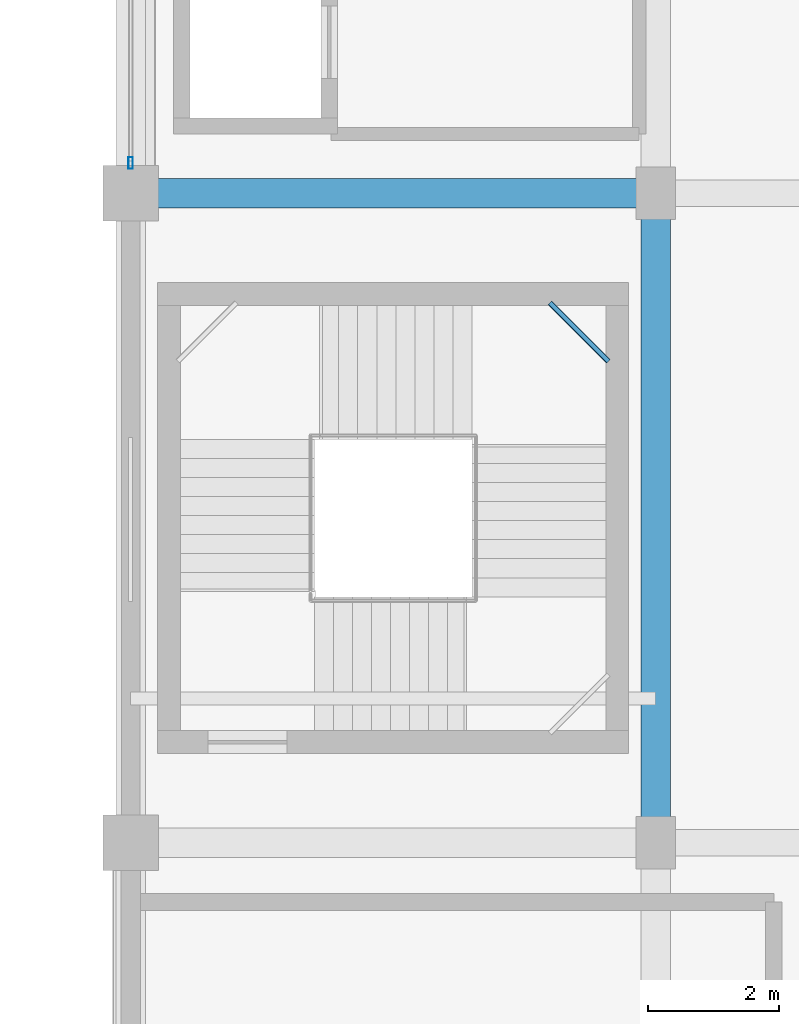
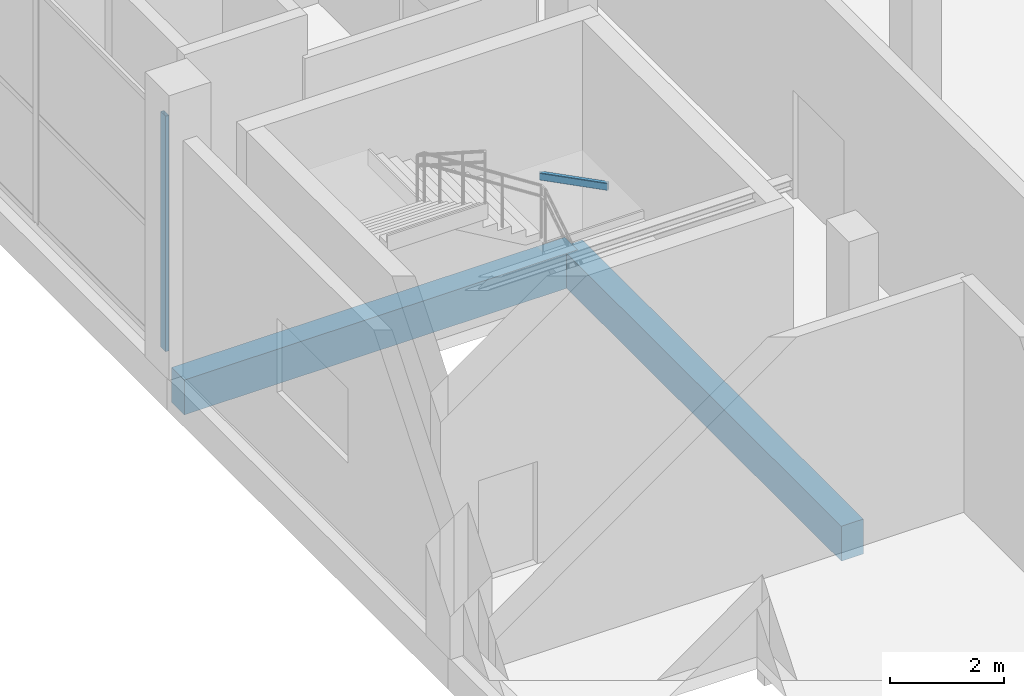
# One storey, part 5 of 58: 3 beams, 1 member, 1 element without a shape of its own.
"""IFC4 building model written with IfcOpenShell, lengths in metres."""

from ifc_helpers import new_model, si_unit, direction, frame, origin, origin_2d, place, context, subcontext, project, spatial, rectangle, hollow_rectangle, extrude, material, layer, layer_set, material_profile, profile_set, type_object, element, aggregate, save


model = new_model("IFC4")

# Units and contexts
model_context = context("Model", 3, precision=1e-05, world=origin(), true_north=direction((0.0, 1.0)))
body_context = subcontext(model_context, "Body", "Model", "MODEL_VIEW")
ifc_project = project(units=[si_unit("LENGTHUNIT", "METRE"), si_unit("AREAUNIT", "SQUARE_METRE"), si_unit("VOLUMEUNIT", "CUBIC_METRE"), si_unit("PLANEANGLEUNIT", "RADIAN"), si_unit("MASSUNIT", "GRAM", prefix="KILO")], contexts=[model_context])

# Site, building, storey
site_placement = place(None, origin())
site = spatial("IfcSite", under=ifc_project, at=site_placement, CompositionType="ELEMENT")
building_placement = place(site_placement, origin())
building = spatial("IfcBuilding", under=site, at=building_placement, Name="Sillaruma Civic Art Gallery", CompositionType="ELEMENT")
storey_placement = place(building_placement, frame((0.0, 0.0, 22.43994140625)))
storey = spatial("IfcBuildingStorey", under=building, at=storey_placement, Name="L04", CompositionType="ELEMENT", Elevation=22.43994140625)

# Beams
ifc_material_1 = material(Name="Concrete H40 (40 MPa)", Category="concrete")
ifc_material_profile_1 = material_profile(ifc_material_1, rectangle(XDim=0.449951171875, YDim=0.75, at=origin_2d()), Name="RCB450x750")
ifc_profile_set_1 = profile_set([ifc_material_profile_1], Name="Concrete H40 (40 MPa)")
beam_type_1 = type_object("IfcBeamType", Name="BM-BEAM-RCB450x750", PredefinedType="BEAM", material=ifc_profile_set_1)
beam_1_placement = place(storey_placement, frame((62.0, 39.60009765625, -0.635009765625), z_axis=(1.0, 0.0, 0.0), x_axis=(0.0, 1.0, 0.0)))
element("IfcBeam", 1, at=beam_1_placement, inside=storey, type_object=beam_type_1, Name="Beam BM-03 (L03:5:F-G)", PredefinedType="BEAM", context=body_context, shape_type="SweptSolid", body=[
    extrude(rectangle(XDim=0.449951171875, YDim=0.75, at=origin_2d()), origin(), (0.0, 0.0, 1.0), 8.0),
])
beam_2_placement = place(storey_placement, frame((70.0, 29.699951171875, -0.635009765625), z_axis=(0.0, 1.0, 0.0), x_axis=(-1.0, 0.0, 0.0)))
element("IfcBeam", 2, at=beam_2_placement, inside=storey, type_object=beam_type_1, Name="Beam BM-03 (L03:G:4-5)", PredefinedType="BEAM", context=body_context, shape_type="SweptSolid", body=[
    extrude(rectangle(XDim=0.449951171875, YDim=0.75, at=origin_2d()), origin(), (0.0, 0.0, 1.0), 9.900146484375),
])
ifc_material_2 = material(Name="Structural Steel ASTM A500 Gr.C", Category="steel")
ifc_material_profile_2 = material_profile(ifc_material_2, hollow_rectangle(XDim=0.080078125, YDim=0.159912109375, WallThickness=0.008056640625, InnerFilletRadius=0.008056640625, OuterFilletRadius=0.01611328125, at=origin_2d()), Name="HSS160x80x8")
ifc_profile_set_2 = profile_set([ifc_material_profile_2], Name="Structural Steel ASTM A500 Gr.C")
beam_type_2 = type_object("IfcBeamType", Name="BM-LND-HSS160", PredefinedType="BEAM", material=ifc_profile_set_2)
beam_3_placement = place(storey_placement, frame((68.389892578125, 37.929931640625, 2.780029296875), z_axis=(0.707203758046, -0.707009791025, 0.0), x_axis=(0.707009791025, 0.707203758046, 0.0)))
element("IfcBeam", 3, at=beam_3_placement, inside=storey, type_object=beam_type_2, Name="Stair Corner Landing Trimmer Beam (ST-03-L04-2)", PredefinedType="BEAM", context=body_context, shape_type="SweptSolid", body=[
    extrude(hollow_rectangle(XDim=0.080078125, YDim=0.159912109375, WallThickness=0.008056640625, InnerFilletRadius=0.008056640625, OuterFilletRadius=0.01611328125, at=origin_2d()), origin(), (0.0, 0.0, 1.0), 1.2587890625),
])

# Curtain wall, member
ifc_material_3 = material(Name="Thermally Broken Extruded Aluminium 6063-T6", Category="aluminium")
ifc_layer = layer(ifc_material_3, 0.179931640625, Name="Thermally Broken Extruded Aluminium 6063-T6")
ifc_layer_set = layer_set([ifc_layer], Name="Thermally Broken Extruded Aluminium 6063-T6")
curtain_wall_type = type_object("IfcCurtainWallType", Name="CW-UNI-21", PredefinedType="NOTDEFINED", material=ifc_layer_set)
curtain_wall_placement = place(storey_placement, origin())
curtain_wall = element("IfcCurtainWall", 4, at=curtain_wall_placement, inside=storey, type_object=curtain_wall_type, Name="Unitised Curtain Wall CW-21 (CW-L04-W-3)", PredefinedType="NOTDEFINED")
ifc_material_profile_3 = material_profile(ifc_material_3, hollow_rectangle(XDim=0.070068359375, YDim=0.179931640625, WallThickness=0.00390625, at=origin_2d()), Name="CWM70x180")
ifc_profile_set_3 = profile_set([ifc_material_profile_3], Name="Thermally Broken Extruded Aluminium 6063-T6")
member_type = type_object("IfcMemberType", Name="MEM-MUL-CWM70x180", PredefinedType="MULLION", material=ifc_profile_set_3)
member_placement = place(storey_placement, frame((62.0, 40.06005859375, 0.0), z_axis=(0.0, 0.0, 1.0), x_axis=(-1.0, 0.0, 0.0)))
member = element("IfcMember", 5, at=member_placement, type_object=member_type, Name="CW-21 mullion 1", PredefinedType="MULLION", context=body_context, shape_type="SweptSolid", body=[
    extrude(hollow_rectangle(XDim=0.070068359375, YDim=0.179931640625, WallThickness=0.00390625, at=origin_2d()), origin(), (0.0, 0.0, 1.0), 5.06005859375),
])
aggregate(curtain_wall, [member])

save(model, "model.ifc")
